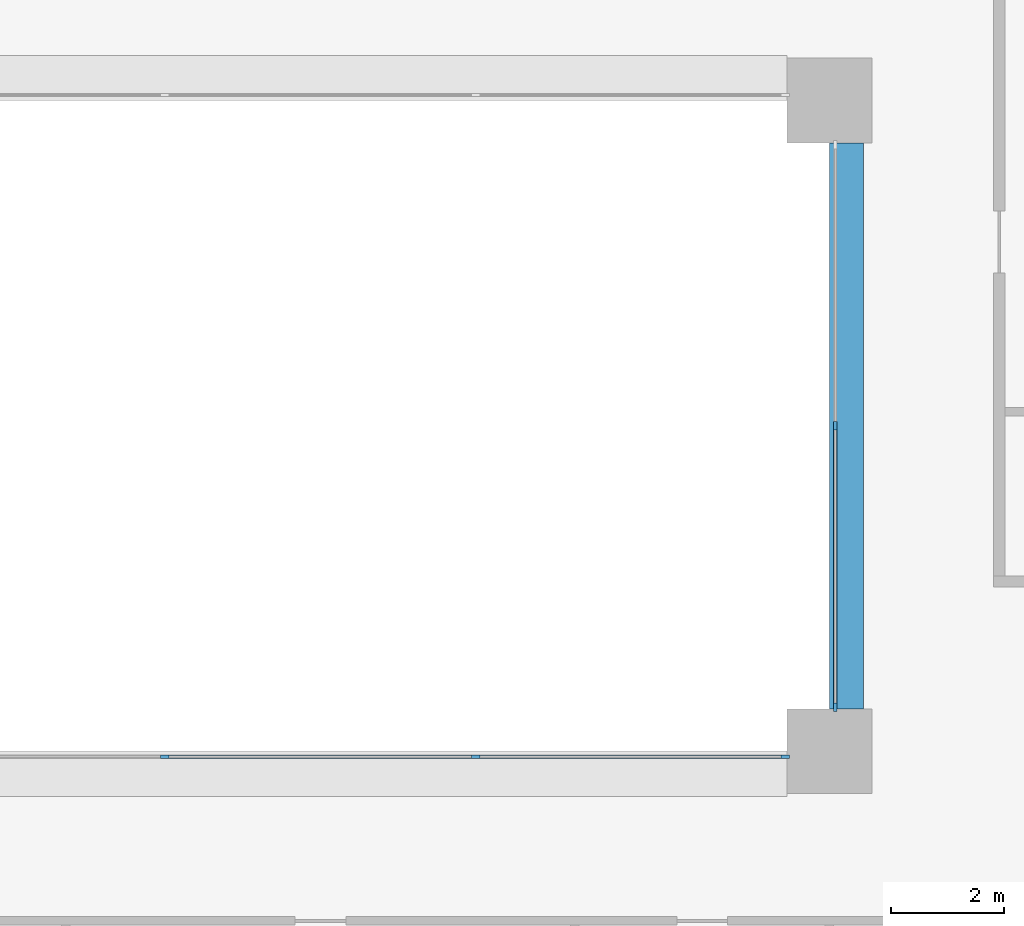
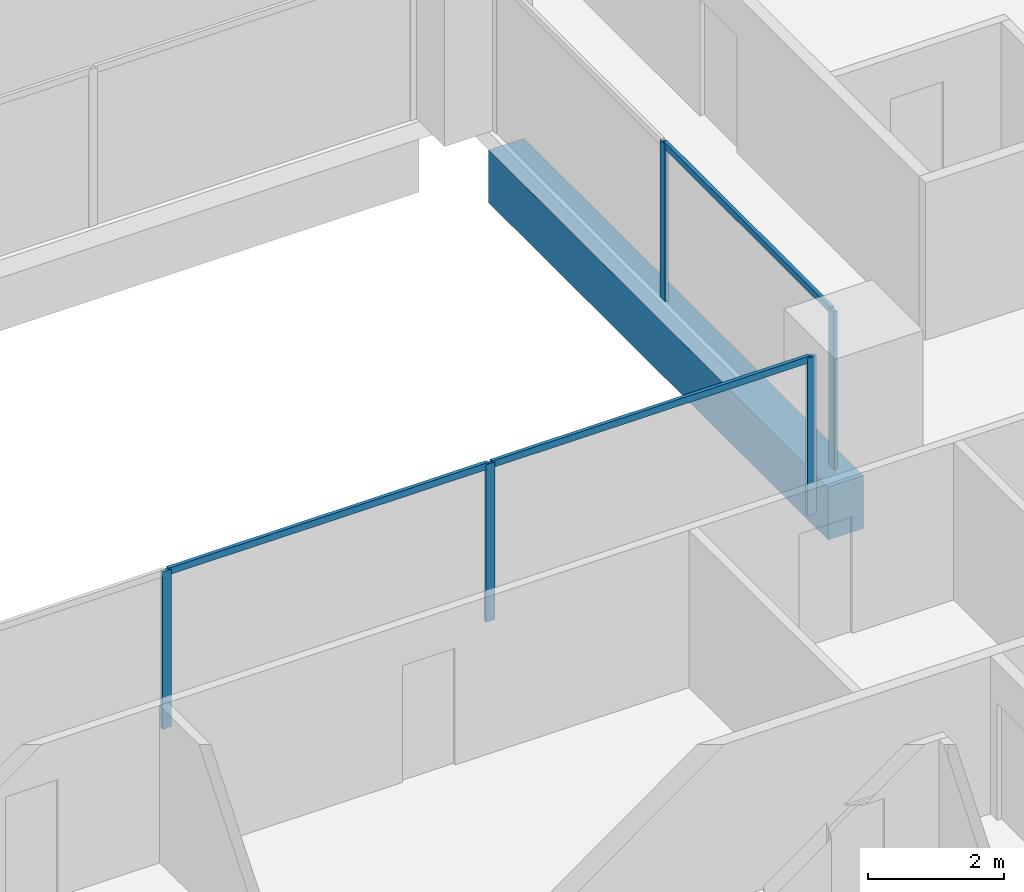
# One storey, part 4 of 20: 8 members, 1 beam, 2 elements without a shape of their own.
"""IFC4 building model written with IfcOpenShell, lengths in metres."""

from ifc_helpers import new_model, si_unit, direction, frame, origin, origin_2d, place, context, subcontext, project, spatial, rectangle, extrude, material, layer, layer_set, material_profile, profile_set, type_object, element, aggregate, save


model = new_model("IFC4")

# Units and contexts
model_context = context("Model", 3, precision=1e-05, world=origin(), true_north=direction((0.0, 1.0)))
body_context = subcontext(model_context, "Body", "Model", "MODEL_VIEW")
ifc_project = project(units=[si_unit("LENGTHUNIT", "METRE"), si_unit("AREAUNIT", "SQUARE_METRE"), si_unit("VOLUMEUNIT", "CUBIC_METRE"), si_unit("PLANEANGLEUNIT", "RADIAN"), si_unit("MASSUNIT", "GRAM", prefix="KILO")], contexts=[model_context])

# Site, building, storey
site_placement = place(None, origin())
site = spatial("IfcSite", under=ifc_project, at=site_placement, CompositionType="ELEMENT")
building_placement = place(site_placement, origin())
building = spatial("IfcBuilding", under=site, at=building_placement, Name="Brigalow Station Residences", CompositionType="ELEMENT")
storey_placement = place(building_placement, frame((0.0, 0.0, 41.550048828125)))
storey = spatial("IfcBuildingStorey", under=building, at=storey_placement, Name="L11", CompositionType="ELEMENT", Elevation=41.550048828125)

# Beam
ifc_material_1 = material(Name="Concrete C65", Category="concrete")
ifc_material_profile_1 = material_profile(ifc_material_1, rectangle(XDim=0.60009765625, YDim=0.949951171875, at=origin_2d()), Name="RC600x950")
ifc_profile_set_1 = profile_set([ifc_material_profile_1], Name="Concrete C65")
beam_type = type_object("IfcBeamType", Name="ATRIUM EDGE GIRDER 600x950 C65", PredefinedType="BEAM", material=ifc_profile_set_1)
beam_placement = place(storey_placement, frame((45.300048828125, 24.75, -0.795166015625), z_axis=(0.0, 1.0, 0.0), x_axis=(-1.0, 0.0, 0.0)))
element("IfcBeam", 1, at=beam_placement, inside=storey, type_object=beam_type, Name="ATRIUM EDGE GIRDER 5 L11", PredefinedType="BEAM", context=body_context, shape_type="SweptSolid", body=[
    extrude(rectangle(XDim=0.60009765625, YDim=0.949951171875, at=origin_2d()), origin(), (0.0, 0.0, 1.0), 10.0),
])

# Curtain wall, members
ifc_material_2 = material(Name="Aluminium", Category="aluminium")
ifc_layer = layer(ifc_material_2, 0.14990234375)
ifc_layer_set = layer_set([ifc_layer], Name="ATRIUM FIRE-RATED GLAZING CURTAIN WALL")
curtain_wall_type = type_object("IfcCurtainWallType", Name="ATRIUM FIRE-RATED GLAZING CURTAIN WALL", PredefinedType="NOTDEFINED", material=ifc_layer_set)
curtain_wall_1_placement = place(storey_placement, origin())
curtain_wall_1 = element("IfcCurtainWall", 2, at=curtain_wall_1_placement, inside=storey, type_object=curtain_wall_type, Name="L11/cw/atrium-S", PredefinedType="NOTDEFINED")
ifc_material_3 = material(Name="Aluminium", Category="aluminium")
ifc_material_profile_2 = material_profile(ifc_material_3, rectangle(XDim=0.06005859375, YDim=0.14990234375, at=origin_2d()), Name="ATRIUM FIRE-RATED GLAZING MULLION 60x150")
ifc_profile_set_2 = profile_set([ifc_material_profile_2], Name="Aluminium")
member_type_1 = type_object("IfcMemberType", Name="ATRIUM FIRE-RATED GLAZING MULLION 60x150", PredefinedType="MULLION", material=ifc_profile_set_2)
member_1_placement = place(storey_placement, frame((33.25, 23.89990234375, 0.0), z_axis=(0.0, 0.0, 1.0), x_axis=(0.0, 1.0, 0.0)))
member_1 = element("IfcMember", 3, at=member_1_placement, type_object=member_type_1, Name="L11/cw/atrium-S/M01", PredefinedType="MULLION", context=body_context, shape_type="SweptSolid", body=[
    extrude(rectangle(XDim=0.06005859375, YDim=0.14990234375, at=origin_2d()), origin(), (0.0, 0.0, 1.0), 2.829833984375),
])
member_2_placement = place(storey_placement, frame((38.75, 23.89990234375, 0.0), z_axis=(0.0, 0.0, 1.0), x_axis=(0.0, 1.0, 0.0)))
member_2 = element("IfcMember", 4, at=member_2_placement, type_object=member_type_1, Name="L11/cw/atrium-S/M02", PredefinedType="MULLION", context=body_context, shape_type="SweptSolid", body=[
    extrude(rectangle(XDim=0.06005859375, YDim=0.14990234375, at=origin_2d()), origin(), (0.0, 0.0, 1.0), 2.829833984375),
])
member_3_placement = place(storey_placement, frame((44.219970703125, 23.89990234375, 0.0), z_axis=(0.0, 0.0, 1.0), x_axis=(0.0, 1.0, 0.0)))
member_3 = element("IfcMember", 5, at=member_3_placement, type_object=member_type_1, Name="L11/cw/atrium-S/M03", PredefinedType="MULLION", context=body_context, shape_type="SweptSolid", body=[
    extrude(rectangle(XDim=0.06005859375, YDim=0.14990234375, at=origin_2d()), origin(), (0.0, 0.0, 1.0), 2.829833984375),
])

curtain_wall_2_placement = place(storey_placement, origin())
curtain_wall_2 = element("IfcCurtainWall", 6, at=curtain_wall_2_placement, inside=storey, type_object=curtain_wall_type, Name="L11/cw/atrium-E", PredefinedType="NOTDEFINED")
member_4_placement = place(storey_placement, frame((45.10009765625, 24.780029296875, 0.0), z_axis=(0.0, 0.0, 1.0), x_axis=(-1.0, 0.0, 0.0)))
member_4 = element("IfcMember", 7, at=member_4_placement, type_object=member_type_1, Name="L11/cw/atrium-E/M00", PredefinedType="MULLION", context=body_context, shape_type="SweptSolid", body=[
    extrude(rectangle(XDim=0.06005859375, YDim=0.14990234375, at=origin_2d()), origin(), (0.0, 0.0, 1.0), 2.829833984375),
])
member_5_placement = place(storey_placement, frame((45.10009765625, 29.75, 0.0), z_axis=(0.0, 0.0, 1.0), x_axis=(-1.0, 0.0, 0.0)))
member_5 = element("IfcMember", 8, at=member_5_placement, type_object=member_type_1, Name="L11/cw/atrium-E/M01", PredefinedType="MULLION", context=body_context, shape_type="SweptSolid", body=[
    extrude(rectangle(XDim=0.06005859375, YDim=0.14990234375, at=origin_2d()), origin(), (0.0, 0.0, 1.0), 2.829833984375),
])

# Member
ifc_material_4 = material(Name="Aluminium", Category="aluminium")
ifc_material_profile_3 = material_profile(ifc_material_4, rectangle(XDim=0.06005859375, YDim=0.1201171875, at=origin_2d()), Name="ATRIUM FIRE-RATED GLAZING TRANSOM 60x120")
ifc_profile_set_3 = profile_set([ifc_material_profile_3], Name="Aluminium")
member_type_2 = type_object("IfcMemberType", Name="ATRIUM FIRE-RATED GLAZING TRANSOM 60x120", PredefinedType="USERDEFINED", material=ifc_profile_set_3)
member_6_placement = place(storey_placement, frame((33.280029296875, 23.89990234375, 2.800048828125), z_axis=(1.0, 0.0, 0.0), x_axis=(0.0, 1.0, 0.0)))
member_6 = element("IfcMember", 9, at=member_6_placement, type_object=member_type_2, Name="L11/cw/atrium-S/T01-00", ObjectType="TRANSOM", PredefinedType="USERDEFINED", context=body_context, shape_type="SweptSolid", body=[
    extrude(rectangle(XDim=0.06005859375, YDim=0.1201171875, at=origin_2d()), origin(), (0.0, 0.0, 1.0), 5.43994140625),
])

member_7_placement = place(storey_placement, frame((38.780029296875, 23.89990234375, 2.800048828125), z_axis=(1.0, 0.0, 0.0), x_axis=(0.0, 1.0, 0.0)))
member_7 = element("IfcMember", 10, at=member_7_placement, type_object=member_type_2, Name="L11/cw/atrium-S/T02-00", ObjectType="TRANSOM", PredefinedType="USERDEFINED", context=body_context, shape_type="SweptSolid", body=[
    extrude(rectangle(XDim=0.06005859375, YDim=0.1201171875, at=origin_2d()), origin(), (0.0, 0.0, 1.0), 5.409912109375),
])

aggregate(curtain_wall_1, [member_1, member_2, member_3, member_6, member_7])

member_8_placement = place(storey_placement, frame((45.10009765625, 24.81005859375, 2.800048828125), z_axis=(0.0, 1.0, 0.0), x_axis=(-1.0, 0.0, 0.0)))
member_8 = element("IfcMember", 11, at=member_8_placement, type_object=member_type_2, Name="L11/cw/atrium-E/T00-00", ObjectType="TRANSOM", PredefinedType="USERDEFINED", context=body_context, shape_type="SweptSolid", body=[
    extrude(rectangle(XDim=0.06005859375, YDim=0.1201171875, at=origin_2d()), origin(), (0.0, 0.0, 1.0), 4.909912109375),
])

aggregate(curtain_wall_2, [member_4, member_5, member_8])

save(model, "model.ifc")
